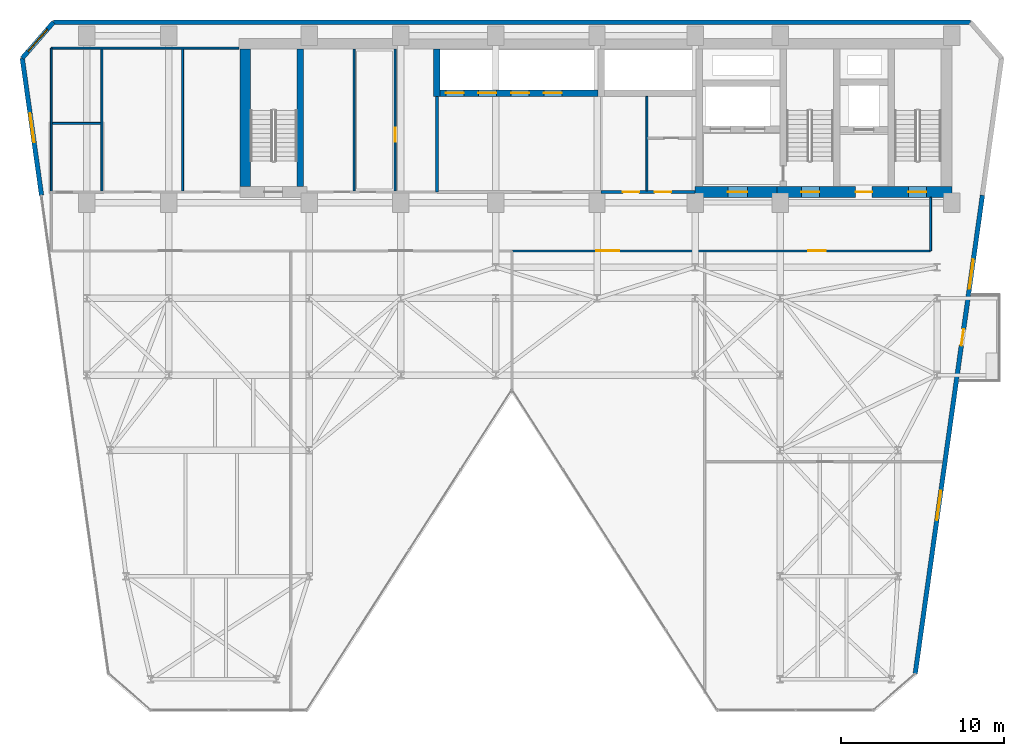
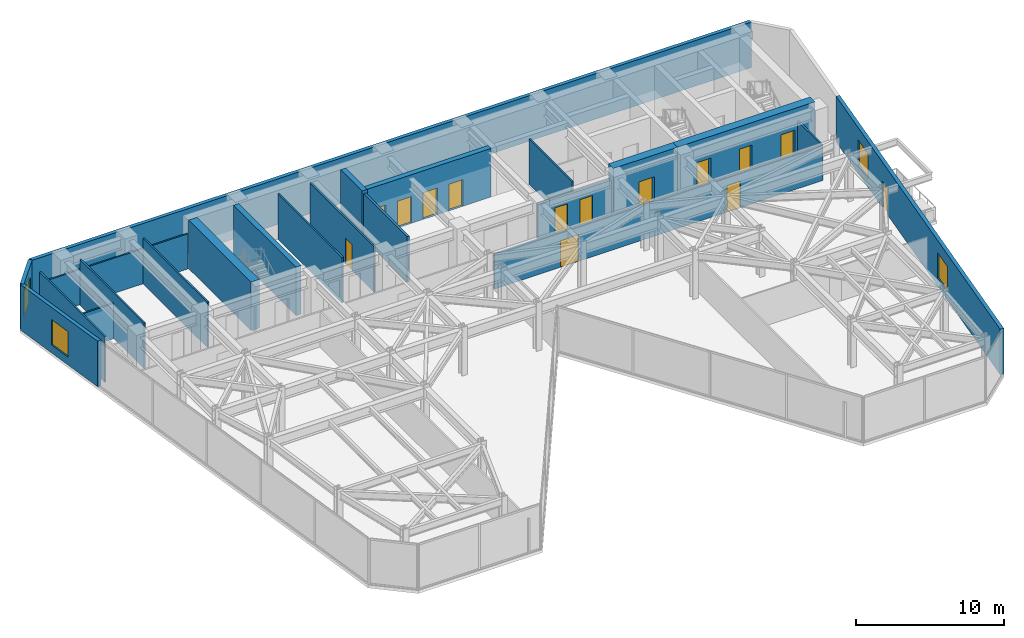
# One storey, part 22 of 26: 22 walls, 14 doors, 4 windows, 18 openings.
"""IFC4 building model written with IfcOpenShell, lengths in metres."""

from ifc_helpers import new_model, si_unit, direction, frame, frame_2d, origin, place, context, subcontext, project, spatial, rectangle, extrude, material, layer, layer_set, type_object, element, fill, save


model = new_model("IFC4")

# Units and contexts
model_context = context("Model", 3, precision=1e-05, world=origin(), true_north=direction((0.0, 1.0)))
body_context = subcontext(model_context, "Body", "Model", "MODEL_VIEW")
ifc_project = project(units=[si_unit("LENGTHUNIT", "METRE"), si_unit("AREAUNIT", "SQUARE_METRE"), si_unit("VOLUMEUNIT", "CUBIC_METRE"), si_unit("PLANEANGLEUNIT", "RADIAN"), si_unit("MASSUNIT", "GRAM", prefix="KILO")], contexts=[model_context])

# Site, building, storey
site_placement = place(None, origin())
site = spatial("IfcSite", under=ifc_project, at=site_placement, CompositionType="ELEMENT")
building_placement = place(site_placement, origin())
building = spatial("IfcBuilding", under=site, at=building_placement, Name="Kravanh Interchange Tower", CompositionType="ELEMENT")
storey_placement = place(building_placement, frame((0.0, 0.0, 120.0)))
storey = spatial("IfcBuildingStorey", under=building, at=storey_placement, Name="L28", CompositionType="ELEMENT", Elevation=120.0)

# Walls
ifc_material_1 = material(Name="Double Acoustic Gypsum Board and Mineral Wool")
ifc_layer_1 = layer(ifc_material_1, 0.1201171875)
ifc_layer_set_1 = layer_set([ifc_layer_1], Name="Acoustic Office Drywall Partition 120mm")
wall_type_1 = type_object("IfcWallType", Name="Acoustic Office Drywall Partition 120mm", PredefinedType="PARTITIONING", material=ifc_layer_set_1)
wall_1_placement = place(storey_placement, frame((47.85009765625, 38.068115234375, 0.0), z_axis=(0.0, 0.0, 1.0), x_axis=(0.0, 1.0, 0.0)))
element("IfcWall", 1, at=wall_1_placement, inside=storey, type_object=wall_type_1, Name="L28 Interior Partition 2", PredefinedType="PARTITIONING", context=body_context, shape_type="SweptSolid", body=[
    extrude(rectangle(XDim=5.77392578125, YDim=0.1201171875, at=frame_2d((2.886962890625, 0.0))), origin(), (0.0, 0.0, 1.0), 3.75),
])
wall_2_placement = place(storey_placement, frame((29.949951171875, 38.068115234375, 0.0), z_axis=(0.0, 0.0, 1.0), x_axis=(0.0, 1.0, 0.0)))
element("IfcWall", 2, at=wall_2_placement, inside=storey, type_object=wall_type_1, Name="L28 Interior Partition 6", PredefinedType="PARTITIONING", context=body_context, shape_type="SweptSolid", body=[
    extrude(rectangle(XDim=8.673828125, YDim=0.1201171875, at=frame_2d((4.3369140625, 0.0))), origin(), (0.0, 0.0, 1.0), 3.75),
])

# Wall, opening, door
wall_3_placement = place(storey_placement, frame((32.449951171875, 38.068115234375, 0.0), z_axis=(0.0, 0.0, 1.0), x_axis=(0.0, 1.0, 0.0)))
wall_3 = element("IfcWall", 3, at=wall_3_placement, inside=storey, type_object=wall_type_1, Name="L28 Interior Partition 7", PredefinedType="PARTITIONING", context=body_context, shape_type="SweptSolid", body=[
    extrude(rectangle(XDim=8.673828125, YDim=0.1201171875, at=frame_2d((4.3369140625, 0.0))), origin(), (0.0, 0.0, 1.0), 3.75),
])
opening_1_placement = place(wall_3_placement, frame((3.007080078125, 0.0, 0.0)))
opening_1 = element("IfcOpeningElement", 4, at=opening_1_placement, cuts=wall_3, Name="Opening D-85", PredefinedType="OPENING", context=body_context, shape_type="SweptSolid", body=[
    extrude(rectangle(XDim=0.85009765625, YDim=2.10009765625, at=frame_2d((0.425048828125, 1.050048828125))), frame((0.0, 0.070068359375, 0.0), z_axis=(0.0, -1.0, 0.0), x_axis=(1.0, 0.0, 0.0)), (0.0, 0.0, 1.0), 0.14013671875),
])
ifc_material_2 = material(Name="Engineered Teak Veneer Timber", Category="wood")
door_type_1 = type_object("IfcDoorType", Name="En-Suite Timber Door 850x2100", OperationType="NOTDEFINED", PredefinedType="DOOR", material=ifc_material_2)
door_1_placement = place(opening_1_placement, origin())
door_1 = element("IfcDoor", 5, at=door_1_placement, inside=storey, type_object=door_type_1, Name="L28 Supply Room Inner Door", OperationType="SINGLE_SWING_LEFT", OverallHeight=2.10009765625, OverallWidth=0.85009765625, PredefinedType="DOOR", context=body_context, shape_type="SweptSolid", body=[
    extrude(rectangle(XDim=0.85009765625, YDim=2.10009765625, at=frame_2d((0.425048828125, 1.050048828125))), frame((0.0, 0.02490234375, 0.0), z_axis=(0.0, -1.0, 0.0), x_axis=(1.0, 0.0, 0.0)), (0.0, 0.0, 1.0), 0.050048828125),
])
fill(opening_1, door_1)

# Walls
wall_4_placement = place(storey_placement, frame((11.419921875, 38.0, 0.0), z_axis=(0.0, 0.0, 1.0), x_axis=(0.0, 1.0, 0.0)))
element("IfcWall", 6, at=wall_4_placement, inside=storey, type_object=wall_type_1, Name="L28 Restroom West Enclosure 10", PredefinedType="PARTITIONING", context=body_context, shape_type="SweptSolid", body=[
    extrude(rectangle(XDim=8.800048828125, YDim=0.1201171875, at=frame_2d((4.39990234375, 0.0))), origin(), (0.0, 0.0, 1.0), 3.75),
])
wall_5_placement = place(storey_placement, frame((11.419921875, 46.800048828125, 0.0), z_axis=(0.0, 0.0, 1.0), x_axis=(1.0, 0.0, 0.0)))
element("IfcWall", 7, at=wall_5_placement, inside=storey, type_object=wall_type_1, Name="L28 Restroom North Enclosure 11", PredefinedType="PARTITIONING", context=body_context, shape_type="SweptSolid", body=[
    extrude(rectangle(XDim=11.47998046875, YDim=0.1201171875, at=frame_2d((5.739990234375, 0.0))), origin(), (0.0, 0.0, 1.0), 2.89404296875),
])
for number, where, z_axis, x_axis, name in (
    (8, (14.52001953125, 38.068115234375, 0.0), (0.0, 0.0, 1.0), (0.0, 1.0, 0.0), "L28 Interior Partition 12"),
    (9, (19.449951171875, 38.068115234375, 0.0), (0.0, 0.0, 1.0), (0.0, 1.0, 0.0), "L28 Interior Partition 13"),
):
    element("IfcWall", number, at=place(storey_placement, frame(where, z_axis=z_axis, x_axis=x_axis)), inside=storey, type_object=wall_type_1, Name=name, PredefinedType="PARTITIONING", context=body_context, shape_type="SweptSolid", body=[
        extrude(rectangle(XDim=8.663818359375, YDim=0.1201171875, at=frame_2d((4.33203125, 0.0))), origin(), (0.0, 0.0, 1.0), 3.75),
    ])
wall_6_placement = place(storey_placement, frame((11.488037109375, 42.199951171875, 0.0), z_axis=(0.0, 0.0, 1.0), x_axis=(1.0, 0.0, 0.0)))
element("IfcWall", 10, at=wall_6_placement, inside=storey, type_object=wall_type_1, Name="L28 Interior Partition 14", PredefinedType="PARTITIONING", context=body_context, shape_type="SweptSolid", body=[
    extrude(rectangle(XDim=2.9638671875, YDim=0.1201171875, at=frame_2d((1.48193359375, 0.0))), origin(), (0.0, 0.0, 1.0), 2.89404296875),
])

# Wall, openings, doors
wall_7_placement = place(storey_placement, frame((39.60009765625, 34.39990234375, 0.0), z_axis=(0.0, 0.0, 1.0), x_axis=(1.0, 0.0, 0.0)))
wall_7 = element("IfcWall", 11, at=wall_7_placement, inside=storey, type_object=wall_type_1, Name="L28 Interior Partition 16", PredefinedType="PARTITIONING", context=body_context, shape_type="SweptSolid", body=[
    extrude(rectangle(XDim=25.599853515625, YDim=0.1201171875, at=frame_2d((12.7998046875, 0.0))), origin(), (0.0, 0.0, 1.0), 2.89404296875),
])
opening_2_placement = place(wall_7_placement, frame((5.14990234375, 0.0, 0.0)))
opening_2 = element("IfcOpeningElement", 12, at=opening_2_placement, cuts=wall_7, Name="Opening DBL-140", PredefinedType="OPENING", context=body_context, shape_type="SweptSolid", body=[
    extrude(rectangle(XDim=1.39990234375, YDim=2.199951171875, at=frame_2d((0.699951171875, 1.10009765625))), frame((0.0, 0.070068359375, 0.0), z_axis=(0.0, -1.0, 0.0), x_axis=(1.0, 0.0, 0.0)), (0.0, 0.0, 1.0), 0.14013671875),
])
opening_3_placement = place(wall_7_placement, frame((18.125, 0.0, 0.0)))
opening_3 = element("IfcOpeningElement", 13, at=opening_3_placement, cuts=wall_7, Name="Opening D-105", PredefinedType="OPENING", context=body_context, shape_type="SweptSolid", body=[
    extrude(rectangle(XDim=1.050048828125, YDim=2.199951171875, at=frame_2d((0.52490234375, 1.10009765625))), frame((0.0, 0.070068359375, 0.0), z_axis=(0.0, -1.0, 0.0), x_axis=(1.0, 0.0, 0.0)), (0.0, 0.0, 1.0), 0.14013671875),
])
ifc_material_3 = material(Name="Acoustic Bronze-Framed Glass", Category="glass")
door_type_2 = type_object("IfcDoorType", Name="Hospitality Lounge Double Door 1400x2200", OperationType="DOUBLE_DOOR_SINGLE_SWING", PredefinedType="DOOR", material=ifc_material_3)
door_2_placement = place(opening_2_placement, origin())
door_2 = element("IfcDoor", 14, at=door_2_placement, inside=storey, type_object=door_type_2, Name="L28 Policy Analysis Study Door", OperationType="DOUBLE_DOOR_SINGLE_SWING", OverallHeight=2.199951171875, OverallWidth=1.39990234375, PredefinedType="DOOR", context=body_context, shape_type="SweptSolid", body=[
    extrude(rectangle(XDim=1.39990234375, YDim=2.199951171875, at=frame_2d((0.699951171875, 1.10009765625))), frame((0.0, 0.02490234375, 0.0), z_axis=(0.0, -1.0, 0.0), x_axis=(1.0, 0.0, 0.0)), (0.0, 0.0, 1.0), 0.050048828125),
])
fill(opening_2, door_2)
ifc_material_4 = material(Name="Acoustic Glazed Oak and Aluminium", Category="aluminium")
door_type_3 = type_object("IfcDoorType", Name="Office Workplace Door 1050x2200", OperationType="NOTDEFINED", PredefinedType="DOOR", material=ifc_material_4)
door_3_placement = place(opening_3_placement, origin())
door_3 = element("IfcDoor", 15, at=door_3_placement, inside=storey, type_object=door_type_3, Name="L28 East Balcony Office Door", OperationType="SINGLE_SWING_LEFT", OverallHeight=2.199951171875, OverallWidth=1.050048828125, PredefinedType="DOOR", context=body_context, shape_type="SweptSolid", body=[
    extrude(rectangle(XDim=1.050048828125, YDim=2.199951171875, at=frame_2d((0.52490234375, 1.10009765625))), frame((0.0, 0.02490234375, 0.0), z_axis=(0.0, -1.0, 0.0), x_axis=(1.0, 0.0, 0.0)), (0.0, 0.0, 1.0), 0.050048828125),
])
fill(opening_3, door_3)

# Wall
wall_8_placement = place(storey_placement, frame((65.199951171875, 34.39990234375, 0.0), z_axis=(0.0, 0.0, 1.0), x_axis=(0.0, 1.0, 0.0)))
element("IfcWall", 16, at=wall_8_placement, inside=storey, type_object=wall_type_1, Name="L28 Interior Partition 18", PredefinedType="PARTITIONING", context=body_context, shape_type="SweptSolid", body=[
    extrude(rectangle(XDim=3.26708984375, YDim=0.1201171875, at=frame_2d((1.633544921875, 0.0))), origin(), (0.0, 0.0, 1.0), 2.89404296875),
])

# Wall, openings, doors
ifc_material_5 = material(Name="Concrete C70/85", Category="concrete")
ifc_layer_2 = layer(ifc_material_5, 0.64990234375)
ifc_layer_set_2 = layer_set([ifc_layer_2], Name="Core Shear Wall Concrete C70/85 650mm")
wall_type_2 = type_object("IfcWallType", Name="Core Shear Wall Concrete C70/85 650mm", PredefinedType="SHEAR", material=ifc_layer_set_2)
wall_9_placement = place(storey_placement, frame((55.800048828125, 38.0, 0.0), z_axis=(0.0, 0.0, 1.0), x_axis=(1.0, 0.0, 0.0)))
wall_9 = element("IfcWall", 17, at=wall_9_placement, inside=storey, type_object=wall_type_2, Name="L28 East Core South Shear Wall", PredefinedType="SHEAR", context=body_context, shape_type="SweptSolid", body=[
    extrude(rectangle(XDim=10.699951171875, YDim=0.64990234375, at=frame_2d((5.35009765625, 0.0))), origin(), (0.0, 0.0, 1.0), 4.0),
])
opening_4_placement = place(wall_9_placement, frame((1.5, 0.0, 0.0)))
opening_4 = element("IfcOpeningElement", 18, at=opening_4_placement, cuts=wall_9, Name="Opening D-STAIR-110", PredefinedType="OPENING", context=body_context, shape_type="SweptSolid", body=[
    extrude(rectangle(XDim=1.10009765625, YDim=2.199951171875, at=frame_2d((0.550048828125, 1.10009765625))), frame((0.0, 0.3349609375, 0.0), z_axis=(0.0, -1.0, 0.0), x_axis=(1.0, 0.0, 0.0)), (0.0, 0.0, 1.0), 0.669921875),
])
opening_5_placement = place(wall_9_placement, frame((4.820068359375, 0.0, 0.0)))
opening_5 = element("IfcOpeningElement", 19, at=opening_5_placement, cuts=wall_9, Name="Opening D-HOTEL-100", PredefinedType="OPENING", context=body_context, shape_type="SweptSolid", body=[
    extrude(rectangle(XDim=1.0, YDim=2.14990234375, at=frame_2d((0.5, 1.074951171875))), frame((0.0, 0.3349609375, 0.0), z_axis=(0.0, -1.0, 0.0), x_axis=(1.0, 0.0, 0.0)), (0.0, 0.0, 1.0), 0.669921875),
])
opening_6_placement = place(wall_9_placement, frame((8.050048828125, 0.0, 0.0)))
opening_6 = element("IfcOpeningElement", 20, at=opening_6_placement, cuts=wall_9, Name="Opening D-STAIR-110", PredefinedType="OPENING", context=body_context, shape_type="SweptSolid", body=[
    extrude(rectangle(XDim=1.10009765625, YDim=2.199951171875, at=frame_2d((0.550048828125, 1.10009765625))), frame((0.0, 0.3349609375, 0.0), z_axis=(0.0, -1.0, 0.0), x_axis=(1.0, 0.0, 0.0)), (0.0, 0.0, 1.0), 0.669921875),
])
ifc_material_6 = material(Name="Structural Steel S355", Category="steel")
door_type_4 = type_object("IfcDoorType", Name="Fire-Rated Exit Stair Door 1100x2200", OperationType="NOTDEFINED", PredefinedType="DOOR", material=ifc_material_6)
door_4_placement = place(opening_4_placement, origin())
door_4 = element("IfcDoor", 21, at=door_4_placement, inside=storey, type_object=door_type_4, Name="L28 Exit Stair ST2 Door", OperationType="SINGLE_SWING_RIGHT", OverallHeight=2.199951171875, OverallWidth=1.10009765625, PredefinedType="DOOR", context=body_context, shape_type="SweptSolid", body=[
    extrude(rectangle(XDim=1.10009765625, YDim=2.199951171875, at=frame_2d((0.550048828125, 1.10009765625))), frame((0.0, 0.02490234375, 0.0), z_axis=(0.0, -1.0, 0.0), x_axis=(1.0, 0.0, 0.0)), (0.0, 0.0, 1.0), 0.050048828125),
])
fill(opening_4, door_4)
door_5_placement = place(opening_6_placement, origin())
door_5 = element("IfcDoor", 22, at=door_5_placement, inside=storey, type_object=door_type_4, Name="L28 Exit Stair ST1 Door", OperationType="SINGLE_SWING_RIGHT", OverallHeight=2.199951171875, OverallWidth=1.10009765625, PredefinedType="DOOR", context=body_context, shape_type="SweptSolid", body=[
    extrude(rectangle(XDim=1.10009765625, YDim=2.199951171875, at=frame_2d((0.550048828125, 1.10009765625))), frame((0.0, 0.02490234375, 0.0), z_axis=(0.0, -1.0, 0.0), x_axis=(1.0, 0.0, 0.0)), (0.0, 0.0, 1.0), 0.050048828125),
])
fill(opening_6, door_5)
ifc_material_7 = material(Name="Fire-Rated Solid Timber Leaf", Category="wood")
door_type_5 = type_object("IfcDoorType", Name="Fire-Rated Suite Entrance Door 1000x2150", OperationType="NOTDEFINED", PredefinedType="DOOR", material=ifc_material_7)
door_6_placement = place(opening_5_placement, origin())
door_6 = element("IfcDoor", 23, at=door_6_placement, inside=storey, type_object=door_type_5, Name="L28 Service Lift Lobby Door", OperationType="SINGLE_SWING_RIGHT", OverallHeight=2.14990234375, OverallWidth=1.0, PredefinedType="DOOR", context=body_context, shape_type="SweptSolid", body=[
    extrude(rectangle(XDim=1.0, YDim=2.14990234375, at=frame_2d((0.5, 1.074951171875))), frame((0.0, 0.02490234375, 0.0), z_axis=(0.0, -1.0, 0.0), x_axis=(1.0, 0.0, 0.0)), (0.0, 0.0, 1.0), 0.050048828125),
])
fill(opening_5, door_6)

# Wall, opening, door
wall_10_placement = place(storey_placement, frame((50.800048828125, 38.0, 0.0), z_axis=(0.0, 0.0, 1.0), x_axis=(1.0, 0.0, 0.0)))
wall_10 = element("IfcWall", 24, at=wall_10_placement, inside=storey, type_object=wall_type_2, Name="L28 Firefighting Lobby South Shear Wall", PredefinedType="SHEAR", context=body_context, shape_type="SweptSolid", body=[
    extrude(rectangle(XDim=5.0, YDim=0.64990234375, at=frame_2d((2.5, 0.0))), origin(), (0.0, 0.0, 1.0), 4.0),
])
opening_7_placement = place(wall_10_placement, frame((2.0, 0.0, 0.0)))
opening_7 = element("IfcOpeningElement", 25, at=opening_7_placement, cuts=wall_10, Name="Opening D-FSAE-120", PredefinedType="OPENING", context=body_context, shape_type="SweptSolid", body=[
    extrude(rectangle(XDim=1.199951171875, YDim=2.199951171875, at=frame_2d((0.60009765625, 1.10009765625))), frame((0.0, 0.3349609375, 0.0), z_axis=(0.0, -1.0, 0.0), x_axis=(1.0, 0.0, 0.0)), (0.0, 0.0, 1.0), 0.669921875),
])
ifc_material_8 = material(Name="Structural Steel S355", Category="steel")
door_type_6 = type_object("IfcDoorType", Name="Fire-Rated Refuge and FSAE Door 1200x2200", OperationType="NOTDEFINED", PredefinedType="DOOR", material=ifc_material_8)
door_7_placement = place(opening_7_placement, origin())
door_7 = element("IfcDoor", 26, at=door_7_placement, inside=storey, type_object=door_type_6, Name="L28 Firefighting Lobby Corridor Door", OperationType="SINGLE_SWING_RIGHT", OverallHeight=2.199951171875, OverallWidth=1.199951171875, PredefinedType="DOOR", context=body_context, shape_type="SweptSolid", body=[
    extrude(rectangle(XDim=1.199951171875, YDim=2.199951171875, at=frame_2d((0.60009765625, 1.10009765625))), frame((0.0, 0.02490234375, 0.0), z_axis=(0.0, -1.0, 0.0), x_axis=(1.0, 0.0, 0.0)), (0.0, 0.0, 1.0), 0.050048828125),
])
fill(opening_7, door_7)

# Wall
wall_11_placement = place(storey_placement, frame((23.27490234375, 38.324951171875, 0.0), z_axis=(0.0, 0.0, 1.0), x_axis=(0.0, 1.0, 0.0)))
element("IfcWall", 27, at=wall_11_placement, inside=storey, type_object=wall_type_2, Name="L28 Stair ST3 West Shear Wall", PredefinedType="SHEAR", context=body_context, shape_type="SweptSolid", body=[
    extrude(rectangle(XDim=8.425048828125, YDim=0.64990234375, at=frame_2d((4.21240234375, 0.0))), origin(), (0.0, 0.0, 1.0), 4.0),
])

# Wall, openings, doors
ifc_material_9 = material(Name="Concrete C80/95", Category="concrete")
ifc_layer_3 = layer(ifc_material_9, 0.39990234375)
ifc_layer_set_3 = layer_set([ifc_layer_3], Name="Core Shear Wall Concrete C80/95 400mm")
wall_type_3 = type_object("IfcWallType", Name="Core Shear Wall Concrete C80/95 400mm", PredefinedType="SHEAR", material=ifc_layer_set_3)
wall_12_placement = place(storey_placement, frame((35.199951171875, 44.050048828125, 0.0), z_axis=(0.0, 0.0, 1.0), x_axis=(1.0, 0.0, 0.0)))
wall_12 = element("IfcWall", 28, at=wall_12_placement, inside=storey, type_object=wall_type_3, Name="L28 Mid-Rise Lift Shaft South Wall", PredefinedType="SHEAR", context=body_context, shape_type="SweptSolid", body=[
    extrude(rectangle(XDim=9.650146484375, YDim=0.39990234375, at=frame_2d((4.8251953125, 0.0))), origin(), (0.0, 0.0, 1.0), 4.0),
])
opening_8_placement = place(wall_12_placement, frame((0.35009765625, 0.0, 0.0)))
opening_8 = element("IfcOpeningElement", 29, at=opening_8_placement, cuts=wall_12, Name="Opening LD01", PredefinedType="OPENING", context=body_context, shape_type="SweptSolid", body=[
    extrude(rectangle(XDim=1.10009765625, YDim=2.199951171875, at=frame_2d((0.550048828125, 1.10009765625))), frame((0.0, 0.2099609375, 0.0), z_axis=(0.0, -1.0, 0.0), x_axis=(1.0, 0.0, 0.0)), (0.0, 0.0, 1.0), 0.419921875),
])
opening_9_placement = place(wall_12_placement, frame((2.35009765625, 0.0, 0.0)))
opening_9 = element("IfcOpeningElement", 30, at=opening_9_placement, cuts=wall_12, Name="Opening LD01", PredefinedType="OPENING", context=body_context, shape_type="SweptSolid", body=[
    extrude(rectangle(XDim=1.10009765625, YDim=2.199951171875, at=frame_2d((0.550048828125, 1.10009765625))), frame((0.0, 0.2099609375, 0.0), z_axis=(0.0, -1.0, 0.0), x_axis=(1.0, 0.0, 0.0)), (0.0, 0.0, 1.0), 0.419921875),
])
opening_10_placement = place(wall_12_placement, frame((4.35009765625, 0.0, 0.0)))
opening_10 = element("IfcOpeningElement", 31, at=opening_10_placement, cuts=wall_12, Name="Opening LD01", PredefinedType="OPENING", context=body_context, shape_type="SweptSolid", body=[
    extrude(rectangle(XDim=1.10009765625, YDim=2.199951171875, at=frame_2d((0.550048828125, 1.10009765625))), frame((0.0, 0.2099609375, 0.0), z_axis=(0.0, -1.0, 0.0), x_axis=(1.0, 0.0, 0.0)), (0.0, 0.0, 1.0), 0.419921875),
])
opening_11_placement = place(wall_12_placement, frame((6.35009765625, 0.0, 0.0)))
opening_11 = element("IfcOpeningElement", 32, at=opening_11_placement, cuts=wall_12, Name="Opening LD01", PredefinedType="OPENING", context=body_context, shape_type="SweptSolid", body=[
    extrude(rectangle(XDim=1.10009765625, YDim=2.199951171875, at=frame_2d((0.550048828125, 1.10009765625))), frame((0.0, 0.2099609375, 0.0), z_axis=(0.0, -1.0, 0.0), x_axis=(1.0, 0.0, 0.0)), (0.0, 0.0, 1.0), 0.419921875),
])
ifc_material_10 = material(Name="Stainless Steel 304", Category="steel")
door_type_7 = type_object("IfcDoorType", Name="Passenger Lift Sliding Landing Door 1100x2200", OperationType="DOUBLE_DOOR_SLIDING", PredefinedType="DOOR", material=ifc_material_10)
door_8_placement = place(opening_8_placement, origin())
door_8 = element("IfcDoor", 33, at=door_8_placement, inside=storey, type_object=door_type_7, Name="L28 Lift LP-M1 Landing Door", OperationType="DOUBLE_DOOR_SLIDING", OverallHeight=2.199951171875, OverallWidth=1.10009765625, PredefinedType="DOOR", context=body_context, shape_type="SweptSolid", body=[
    extrude(rectangle(XDim=1.10009765625, YDim=2.199951171875, at=frame_2d((0.550048828125, 1.10009765625))), frame((0.0, 0.02490234375, 0.0), z_axis=(0.0, -1.0, 0.0), x_axis=(1.0, 0.0, 0.0)), (0.0, 0.0, 1.0), 0.050048828125),
])
fill(opening_8, door_8)
door_9_placement = place(opening_9_placement, origin())
door_9 = element("IfcDoor", 34, at=door_9_placement, inside=storey, type_object=door_type_7, Name="L28 Lift LP-M2 Landing Door", OperationType="DOUBLE_DOOR_SLIDING", OverallHeight=2.199951171875, OverallWidth=1.10009765625, PredefinedType="DOOR", context=body_context, shape_type="SweptSolid", body=[
    extrude(rectangle(XDim=1.10009765625, YDim=2.199951171875, at=frame_2d((0.550048828125, 1.10009765625))), frame((0.0, 0.02490234375, 0.0), z_axis=(0.0, -1.0, 0.0), x_axis=(1.0, 0.0, 0.0)), (0.0, 0.0, 1.0), 0.050048828125),
])
fill(opening_9, door_9)
door_10_placement = place(opening_10_placement, origin())
door_10 = element("IfcDoor", 35, at=door_10_placement, inside=storey, type_object=door_type_7, Name="L28 Lift LP-M3 Landing Door", OperationType="DOUBLE_DOOR_SLIDING", OverallHeight=2.199951171875, OverallWidth=1.10009765625, PredefinedType="DOOR", context=body_context, shape_type="SweptSolid", body=[
    extrude(rectangle(XDim=1.10009765625, YDim=2.199951171875, at=frame_2d((0.550048828125, 1.10009765625))), frame((0.0, 0.02490234375, 0.0), z_axis=(0.0, -1.0, 0.0), x_axis=(1.0, 0.0, 0.0)), (0.0, 0.0, 1.0), 0.050048828125),
])
fill(opening_10, door_10)
door_11_placement = place(opening_11_placement, origin())
door_11 = element("IfcDoor", 36, at=door_11_placement, inside=storey, type_object=door_type_7, Name="L28 Lift LP-M4 Landing Door", OperationType="DOUBLE_DOOR_SLIDING", OverallHeight=2.199951171875, OverallWidth=1.10009765625, PredefinedType="DOOR", context=body_context, shape_type="SweptSolid", body=[
    extrude(rectangle(XDim=1.10009765625, YDim=2.199951171875, at=frame_2d((0.550048828125, 1.10009765625))), frame((0.0, 0.02490234375, 0.0), z_axis=(0.0, -1.0, 0.0), x_axis=(1.0, 0.0, 0.0)), (0.0, 0.0, 1.0), 0.050048828125),
])
fill(opening_11, door_11)

# Walls
wall_13_placement = place(storey_placement, frame((35.0, 43.85009765625, 0.0), z_axis=(0.0, 0.0, 1.0), x_axis=(0.0, 1.0, 0.0)))
element("IfcWall", 37, at=wall_13_placement, inside=storey, type_object=wall_type_3, Name="L28 Mid-Rise Lift Shaft West Wall", PredefinedType="SHEAR", context=body_context, shape_type="SweptSolid", body=[
    extrude(rectangle(XDim=2.89990234375, YDim=0.39990234375, at=frame_2d((1.449951171875, 0.0))), origin(), (0.0, 0.0, 1.0), 4.0),
])
wall_14_placement = place(storey_placement, frame((26.64990234375, 38.324951171875, 0.0), z_axis=(0.0, 0.0, 1.0), x_axis=(0.0, 1.0, 0.0)))
element("IfcWall", 38, at=wall_14_placement, inside=storey, type_object=wall_type_3, Name="L28 Stair ST3 East Shear Wall", PredefinedType="SHEAR", context=body_context, shape_type="SweptSolid", body=[
    extrude(rectangle(XDim=8.425048828125, YDim=0.39990234375, at=frame_2d((4.21240234375, 0.0))), origin(), (0.0, 0.0, 1.0), 4.0),
])

# Wall, opening, window
ifc_material_11 = material(Name="Insulated Precast Concrete C40/50 with Bronze Cladding", Category="concrete")
ifc_layer_4 = layer(ifc_material_11, 0.280029296875)
ifc_layer_set_4 = layer_set([ifc_layer_4], Name="Exterior Insulated Concrete C40/50 Bronze Spandrel Wall 280mm")
wall_type_4 = type_object("IfcWallType", Name="Exterior Insulated Concrete C40/50 Bronze Spandrel Wall 280mm", PredefinedType="STANDARD", material=ifc_layer_set_4)
wall_15_placement = place(storey_placement, frame((10.824951171875, 37.800048828125, 0.0), z_axis=(0.0, 0.0, 1.0), x_axis=(-0.139180610108, 0.990267013371, 0.0)))
wall_15 = element("IfcWall", 39, at=wall_15_placement, inside=storey, type_object=wall_type_4, Name="L28 Exterior Wall 1", PredefinedType="STANDARD", context=body_context, shape_type="SweptSolid", body=[
    extrude(rectangle(XDim=8.46728515625, YDim=0.280029296875, at=frame_2d((4.233642578125, 0.0))), origin(), (0.0, 0.0, 1.0), 3.75),
])
opening_12_placement = place(wall_15_placement, frame((3.273193359375, 0.0, 0.64990234375)))
opening_12 = element("IfcOpeningElement", 40, at=opening_12_placement, cuts=wall_15, Name="Opening WN-180X210", PredefinedType="OPENING", context=body_context, shape_type="SweptSolid", body=[
    extrude(rectangle(XDim=1.800048828125, YDim=2.10009765625, at=frame_2d((0.89990234375, 1.050048828125))), frame((0.0, 0.14990234375, 0.0), z_axis=(0.0, -1.0, 0.0), x_axis=(1.0, 0.0, 0.0)), (0.0, 0.0, 1.0), 0.300048828125),
])
ifc_material_12 = material(Name="Thermally Broken Bronze Aluminium and Low-E Glass", Category="aluminium")
window_type = type_object("IfcWindowType", Name="Tower Pier Window 1800x2100", PartitioningType="SINGLE_PANEL", PredefinedType="WINDOW", material=ifc_material_12)
window_1_placement = place(opening_12_placement, origin())
window_1 = element("IfcWindow", 41, at=window_1_placement, inside=storey, type_object=window_type, Name="L28 Corner Window 1", OverallHeight=2.10009765625, OverallWidth=1.800048828125, PartitioningType="SINGLE_PANEL", PredefinedType="WINDOW", context=body_context, shape_type="SweptSolid", body=[
    extrude(rectangle(XDim=1.800048828125, YDim=2.10009765625, at=frame_2d((0.89990234375, 1.050048828125))), frame((0.0, 0.030029296875, 0.0), z_axis=(0.0, -1.0, 0.0), x_axis=(1.0, 0.0, 0.0)), (0.0, 0.0, 1.0), 0.06005859375),
])
fill(opening_12, window_1)

wall_16_placement = place(storey_placement, frame((9.646484375, 46.184814453125, 0.0), z_axis=(0.0, 0.0, 1.0), x_axis=(0.656070644076, 0.754699483226, 0.0)))
wall_16 = element("IfcWall", 42, at=wall_16_placement, inside=storey, type_object=wall_type_4, Name="L28 Exterior Wall 2", PredefinedType="STANDARD", context=body_context, shape_type="SweptSolid", body=[
    extrude(rectangle(XDim=2.908447265625, YDim=0.280029296875, at=frame_2d((1.4541015625, 0.0))), origin(), (0.0, 0.0, 1.0), 3.75),
])
opening_13_placement = place(wall_16_placement, frame((0.541015625, 0.0, 0.64990234375)))
opening_13 = element("IfcOpeningElement", 43, at=opening_13_placement, cuts=wall_16, Name="Opening WN-180X210", PredefinedType="OPENING", context=body_context, shape_type="SweptSolid", body=[
    extrude(rectangle(XDim=1.800048828125, YDim=2.10009765625, at=frame_2d((0.89990234375, 1.050048828125))), frame((0.0, 0.14990234375, 0.0), z_axis=(0.0, -1.0, 0.0), x_axis=(1.0, 0.0, 0.0)), (0.0, 0.0, 1.0), 0.300048828125),
])
window_2_placement = place(opening_13_placement, origin())
window_2 = element("IfcWindow", 44, at=window_2_placement, inside=storey, type_object=window_type, Name="L28 Corner Window 2", OverallHeight=2.10009765625, OverallWidth=1.800048828125, PartitioningType="SINGLE_PANEL", PredefinedType="WINDOW", context=body_context, shape_type="SweptSolid", body=[
    extrude(rectangle(XDim=1.800048828125, YDim=2.10009765625, at=frame_2d((0.89990234375, 1.050048828125))), frame((0.0, 0.030029296875, 0.0), z_axis=(0.0, -1.0, 0.0), x_axis=(1.0, 0.0, 0.0)), (0.0, 0.0, 1.0), 0.06005859375),
])
fill(opening_13, window_2)

# Wall
wall_17_placement = place(storey_placement, frame((11.5546875, 48.3798828125, 0.0), z_axis=(0.0, 0.0, 1.0), x_axis=(1.0, 0.0, 0.0)))
element("IfcWall", 45, at=wall_17_placement, inside=storey, type_object=wall_type_4, Name="L28 Exterior Wall 3", PredefinedType="STANDARD", context=body_context, shape_type="SweptSolid", body=[
    extrude(rectangle(XDim=56.090576171875, YDim=0.280029296875, at=frame_2d((28.04541015625, 0.0))), origin(), (0.0, 0.0, 1.0), 3.75),
])

# Wall, openings, door, windows
wall_18_placement = place(storey_placement, frame((68.375, 37.800048828125, 0.0), z_axis=(0.0, 0.0, 1.0), x_axis=(-0.13917001236, -0.990268502811, 0.0)))
wall_18 = element("IfcWall", 46, at=wall_18_placement, inside=storey, type_object=wall_type_4, Name="L28 Exterior Wall 6", PredefinedType="STANDARD", context=body_context, shape_type="SweptSolid", body=[
    extrude(rectangle(XDim=29.548828125, YDim=0.280029296875, at=frame_2d((14.7744140625, 0.0))), origin(), (0.0, 0.0, 1.0), 3.75),
])
opening_14_placement = place(wall_18_placement, frame((8.27880859375, 0.0, 0.0)))
opening_14 = element("IfcOpeningElement", 47, at=opening_14_placement, cuts=wall_18, Name="Opening ED-BAL100", PredefinedType="OPENING", context=body_context, shape_type="SweptSolid", body=[
    extrude(rectangle(XDim=1.0, YDim=2.14990234375, at=frame_2d((0.5, 1.074951171875))), frame((0.0, 0.14990234375, 0.0), z_axis=(0.0, -1.0, 0.0), x_axis=(1.0, 0.0, 0.0)), (0.0, 0.0, 1.0), 0.300048828125),
])
opening_15_placement = place(wall_18_placement, frame((3.97119140625, 0.0, 0.64990234375)))
opening_15 = element("IfcOpeningElement", 48, at=opening_15_placement, cuts=wall_18, Name="Opening WN-180X210", PredefinedType="OPENING", context=body_context, shape_type="SweptSolid", body=[
    extrude(rectangle(XDim=1.800048828125, YDim=2.10009765625, at=frame_2d((0.89990234375, 1.050048828125))), frame((0.0, 0.14990234375, 0.0), z_axis=(0.0, -1.0, 0.0), x_axis=(1.0, 0.0, 0.0)), (0.0, 0.0, 1.0), 0.300048828125),
])
opening_16_placement = place(wall_18_placement, frame((18.255859375, 0.0, 0.64990234375)))
opening_16 = element("IfcOpeningElement", 49, at=opening_16_placement, cuts=wall_18, Name="Opening WN-180X210", PredefinedType="OPENING", context=body_context, shape_type="SweptSolid", body=[
    extrude(rectangle(XDim=1.800048828125, YDim=2.10009765625, at=frame_2d((0.89990234375, 1.050048828125))), frame((0.0, 0.14990234375, 0.0), z_axis=(0.0, -1.0, 0.0), x_axis=(1.0, 0.0, 0.0)), (0.0, 0.0, 1.0), 0.300048828125),
])
ifc_material_13 = material(Name="Thermally Broken Bronze Aluminium and Laminated Glass", Category="aluminium")
door_type_8 = type_object("IfcDoorType", Name="Balcony Glazed Door 1000x2150", OperationType="NOTDEFINED", PredefinedType="DOOR", material=ifc_material_13)
door_12_placement = place(opening_14_placement, origin())
door_12 = element("IfcDoor", 50, at=door_12_placement, inside=storey, type_object=door_type_8, Name="L28 E Tree Balcony Access Door", OperationType="SINGLE_SWING_LEFT", OverallHeight=2.14990234375, OverallWidth=1.0, PredefinedType="DOOR", context=body_context, shape_type="SweptSolid", body=[
    extrude(rectangle(XDim=1.0, YDim=2.14990234375, at=frame_2d((0.5, 1.074951171875))), frame((0.0, 0.02490234375, 0.0), z_axis=(0.0, -1.0, 0.0), x_axis=(1.0, 0.0, 0.0)), (0.0, 0.0, 1.0), 0.050048828125),
])
fill(opening_14, door_12)
window_3_placement = place(opening_15_placement, origin())
window_3 = element("IfcWindow", 51, at=window_3_placement, inside=storey, type_object=window_type, Name="L28 Facade Window 6A", OverallHeight=2.10009765625, OverallWidth=1.800048828125, PartitioningType="SINGLE_PANEL", PredefinedType="WINDOW", context=body_context, shape_type="SweptSolid", body=[
    extrude(rectangle(XDim=1.800048828125, YDim=2.10009765625, at=frame_2d((0.89990234375, 1.050048828125))), frame((0.0, 0.030029296875, 0.0), z_axis=(0.0, -1.0, 0.0), x_axis=(1.0, 0.0, 0.0)), (0.0, 0.0, 1.0), 0.06005859375),
])
fill(opening_15, window_3)
window_4_placement = place(opening_16_placement, origin())
window_4 = element("IfcWindow", 52, at=window_4_placement, inside=storey, type_object=window_type, Name="L28 Facade Window 6B", OverallHeight=2.10009765625, OverallWidth=1.800048828125, PartitioningType="SINGLE_PANEL", PredefinedType="WINDOW", context=body_context, shape_type="SweptSolid", body=[
    extrude(rectangle(XDim=1.800048828125, YDim=2.10009765625, at=frame_2d((0.89990234375, 1.050048828125))), frame((0.0, 0.030029296875, 0.0), z_axis=(0.0, -1.0, 0.0), x_axis=(1.0, 0.0, 0.0)), (0.0, 0.0, 1.0), 0.06005859375),
])
fill(opening_16, window_4)

# Wall, openings, doors
ifc_material_14 = material(Name="Autoclaved Aerated Concrete C30/37 Blockwork", Category="masonry")
ifc_layer_5 = layer(ifc_material_14, 0.179931640625)
ifc_layer_set_5 = layer_set([ifc_layer_5], Name="Fire-Rated Lobby and Corridor Wall Concrete C30/37 180mm")
wall_type_5 = type_object("IfcWallType", Name="Fire-Rated Lobby and Corridor Wall Concrete C30/37 180mm", PredefinedType="STANDARD", material=ifc_layer_set_5)
wall_19_placement = place(storey_placement, frame((45.050048828125, 38.0, 0.0), z_axis=(0.0, 0.0, 1.0), x_axis=(1.0, 0.0, 0.0)))
wall_19 = element("IfcWall", 53, at=wall_19_placement, inside=storey, type_object=wall_type_5, Name="L28 Core South Enclosure 1", PredefinedType="STANDARD", context=body_context, shape_type="SweptSolid", body=[
    extrude(rectangle(XDim=5.75, YDim=0.179931640625, at=frame_2d((2.875, 0.0))), origin(), (0.0, 0.0, 1.0), 2.89404296875),
])
opening_17_placement = place(wall_19_placement, frame((1.324951171875, 0.0, 0.0)))
opening_17 = element("IfcOpeningElement", 54, at=opening_17_placement, cuts=wall_19, Name="Opening D-HOTEL-100", PredefinedType="OPENING", context=body_context, shape_type="SweptSolid", body=[
    extrude(rectangle(XDim=1.0, YDim=2.14990234375, at=frame_2d((0.5, 1.074951171875))), frame((0.0, 0.10009765625, 0.0), z_axis=(0.0, -1.0, 0.0), x_axis=(1.0, 0.0, 0.0)), (0.0, 0.0, 1.0), 0.199951171875),
])
opening_18_placement = place(wall_19_placement, frame((3.27490234375, 0.0, 0.0)))
opening_18 = element("IfcOpeningElement", 55, at=opening_18_placement, cuts=wall_19, Name="Opening D-HOTEL-100", PredefinedType="OPENING", context=body_context, shape_type="SweptSolid", body=[
    extrude(rectangle(XDim=1.0, YDim=2.14990234375, at=frame_2d((0.5, 1.074951171875))), frame((0.0, 0.10009765625, 0.0), z_axis=(0.0, -1.0, 0.0), x_axis=(1.0, 0.0, 0.0)), (0.0, 0.0, 1.0), 0.199951171875),
])
door_13_placement = place(opening_17_placement, origin())
door_13 = element("IfcDoor", 56, at=door_13_placement, inside=storey, type_object=door_type_5, Name="L28 Core Metering Door", OperationType="SINGLE_SWING_RIGHT", OverallHeight=2.14990234375, OverallWidth=1.0, PredefinedType="DOOR", context=body_context, shape_type="SweptSolid", body=[
    extrude(rectangle(XDim=1.0, YDim=2.14990234375, at=frame_2d((0.5, 1.074951171875))), frame((0.0, 0.02490234375, 0.0), z_axis=(0.0, -1.0, 0.0), x_axis=(1.0, 0.0, 0.0)), (0.0, 0.0, 1.0), 0.050048828125),
])
fill(opening_17, door_13)
door_14_placement = place(opening_18_placement, origin())
door_14 = element("IfcDoor", 57, at=door_14_placement, inside=storey, type_object=door_type_5, Name="L28 Core Copy Room Door", OperationType="SINGLE_SWING_LEFT", OverallHeight=2.14990234375, OverallWidth=1.0, PredefinedType="DOOR", context=body_context, shape_type="SweptSolid", body=[
    extrude(rectangle(XDim=1.0, YDim=2.14990234375, at=frame_2d((0.5, 1.074951171875))), frame((0.0, 0.02490234375, 0.0), z_axis=(0.0, -1.0, 0.0), x_axis=(1.0, 0.0, 0.0)), (0.0, 0.0, 1.0), 0.050048828125),
])
fill(opening_18, door_14)

# Wall
wall_20_placement = place(storey_placement, frame((35.0, 38.0, 0.0), z_axis=(0.0, 0.0, 1.0), x_axis=(0.0, 1.0, 0.0)))
element("IfcWall", 58, at=wall_20_placement, inside=storey, type_object=wall_type_5, Name="L28 Interior Partition 5", PredefinedType="STANDARD", context=body_context, shape_type="SweptSolid", body=[
    extrude(rectangle(XDim=5.85009765625, YDim=0.179931640625, at=frame_2d((2.925048828125, 0.0))), origin(), (0.0, 0.0, 1.0), 3.75),
])

save(model, "model.ifc")
